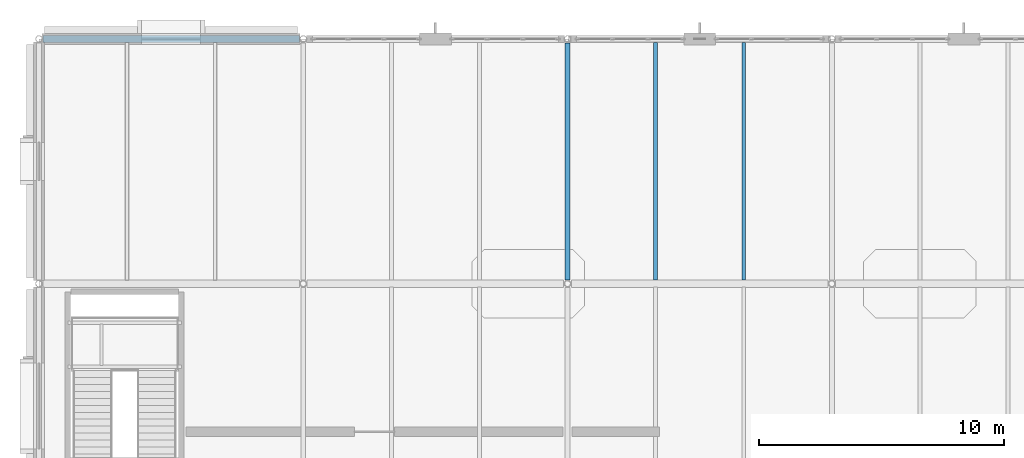
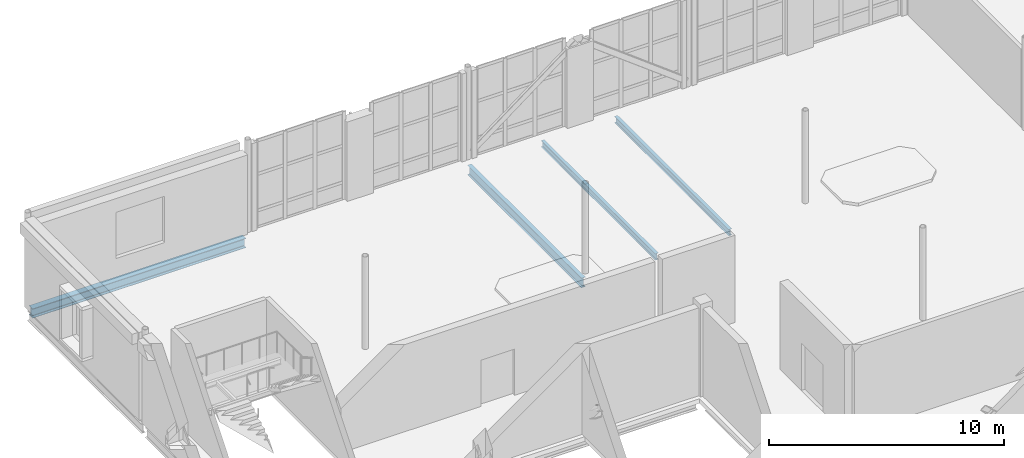
# One storey, part 43 of 100: 4 beams.
"""IFC4 building model written with IfcOpenShell, lengths in metres."""

from ifc_helpers import new_model, si_unit, direction, frame, origin, origin_2d, place, context, subcontext, project, spatial, i_section, extrude, material, material_profile, profile_set, type_object, element, save


model = new_model("IFC4")

# Units and contexts
model_context = context("Model", 3, precision=1e-05, world=origin(), true_north=direction((0.0, 1.0)))
body_context = subcontext(model_context, "Body", "Model", "MODEL_VIEW")
ifc_project = project(units=[si_unit("LENGTHUNIT", "METRE"), si_unit("AREAUNIT", "SQUARE_METRE"), si_unit("VOLUMEUNIT", "CUBIC_METRE"), si_unit("PLANEANGLEUNIT", "RADIAN"), si_unit("MASSUNIT", "GRAM", prefix="KILO")], contexts=[model_context])

# Site, building, storey
site_placement = place(None, origin())
site = spatial("IfcSite", under=ifc_project, at=site_placement, CompositionType="ELEMENT")
building_placement = place(site_placement, origin())
building = spatial("IfcBuilding", under=site, at=building_placement, Name="Tasgan Crest Museum", CompositionType="ELEMENT")
storey_placement = place(building_placement, frame((0.0, 0.0, 9.60009765625)))
storey = spatial("IfcBuildingStorey", under=building, at=storey_placement, Name="L02", CompositionType="ELEMENT", Elevation=9.60009765625)

# Beams
ifc_material_1 = material(Name="Steel S355J2", Category="steel")
ifc_material_profile_1 = material_profile(ifc_material_1, i_section(OverallWidth=0.300048828125, OverallDepth=0.489990234375, WebThickness=0.011962890625, FlangeThickness=0.02294921875, FilletRadius=0.027099609375, at=origin_2d()), Name="HEA 500")
ifc_profile_set_1 = profile_set([ifc_material_profile_1], Name="Steel S355J2")
beam_type_1 = type_object("IfcBeamType", Name="BM-G-HEA500", PredefinedType="BEAM", material=ifc_profile_set_1)
beam_1_placement = place(storey_placement, frame((0.157958984375, 112.0, -0.485107421875), z_axis=(1.0, 0.0, 0.0), x_axis=(0.0, 1.0, 0.0)))
element("IfcBeam", 1, at=beam_1_placement, inside=storey, type_object=beam_type_1, Name="Girder L02 M 0.0-10.8", PredefinedType="BEAM", context=body_context, shape_type="SweptSolid", body=[
    extrude(i_section(OverallWidth=0.300048828125, OverallDepth=0.489990234375, WebThickness=0.011962890625, FlangeThickness=0.02294921875, FilletRadius=0.027099609375, at=origin_2d()), origin(), (0.0, 0.0, 1.0), 10.484130859375),
])
ifc_material_2 = material(Name="Steel S355J2", Category="steel")
ifc_material_profile_2 = material_profile(ifc_material_2, i_section(OverallWidth=0.199951171875, OverallDepth=0.5, WebThickness=0.01025390625, FlangeThickness=0.01611328125, FilletRadius=0.02099609375, at=origin_2d()), Name="IPE 500")
ifc_profile_set_2 = profile_set([ifc_material_profile_2], Name="Steel S355J2")
beam_type_2 = type_object("IfcBeamType", Name="BM-G-IPE500", PredefinedType="BEAM", material=ifc_profile_set_2)
beam_2_placement = place(storey_placement, frame((21.60009765625, 102.156982421875, -0.489990234375), z_axis=(0.0, 1.0, 0.0), x_axis=(-1.0, 0.0, 0.0)))
element("IfcBeam", 2, at=beam_2_placement, inside=storey, type_object=beam_type_2, Name="Beam L02 3 102.0-112.0", PredefinedType="BEAM", context=body_context, shape_type="SweptSolid", body=[
    extrude(i_section(OverallWidth=0.199951171875, OverallDepth=0.5, WebThickness=0.01025390625, FlangeThickness=0.01611328125, FilletRadius=0.02099609375, at=origin_2d()), origin(), (0.0, 0.0, 1.0), 9.68603515625),
])
ifc_material_3 = material(Name="Steel S355J2", Category="steel")
ifc_material_profile_3 = material_profile(ifc_material_3, i_section(OverallWidth=0.159912109375, OverallDepth=0.330078125, WebThickness=0.007568359375, FlangeThickness=0.011474609375, FilletRadius=0.01806640625, at=origin_2d()), Name="IPE 330")
ifc_profile_set_3 = profile_set([ifc_material_profile_3], Name="Steel S355J2")
beam_type_3 = type_object("IfcBeamType", Name="BM-J-IPE330", PredefinedType="JOIST", material=ifc_profile_set_3)
for number, where, z_axis, x_axis, name in (
    (3, (25.199951171875, 102.14501953125, -0.405029296875), (0.0, 1.0, 0.0), (-1.0, 0.0, 0.0), "Secondary joist L02 X=25.2 Y=102.0-112.0"),
    (4, (28.800048828125, 102.14501953125, -0.405029296875), (0.0, 1.0, 0.0), (-1.0, 0.0, 0.0), "Secondary joist L02 X=28.8 Y=102.0-112.0"),
):
    element("IfcBeam", number, at=place(storey_placement, frame(where, z_axis=z_axis, x_axis=x_axis)), inside=storey, type_object=beam_type_3, Name=name, PredefinedType="JOIST", context=body_context, shape_type="SweptSolid", body=[
        extrude(i_section(OverallWidth=0.159912109375, OverallDepth=0.330078125, WebThickness=0.007568359375, FlangeThickness=0.011474609375, FilletRadius=0.01806640625, at=origin_2d()), origin(), (0.0, 0.0, 1.0), 9.7099609375),
    ])

save(model, "model.ifc")
